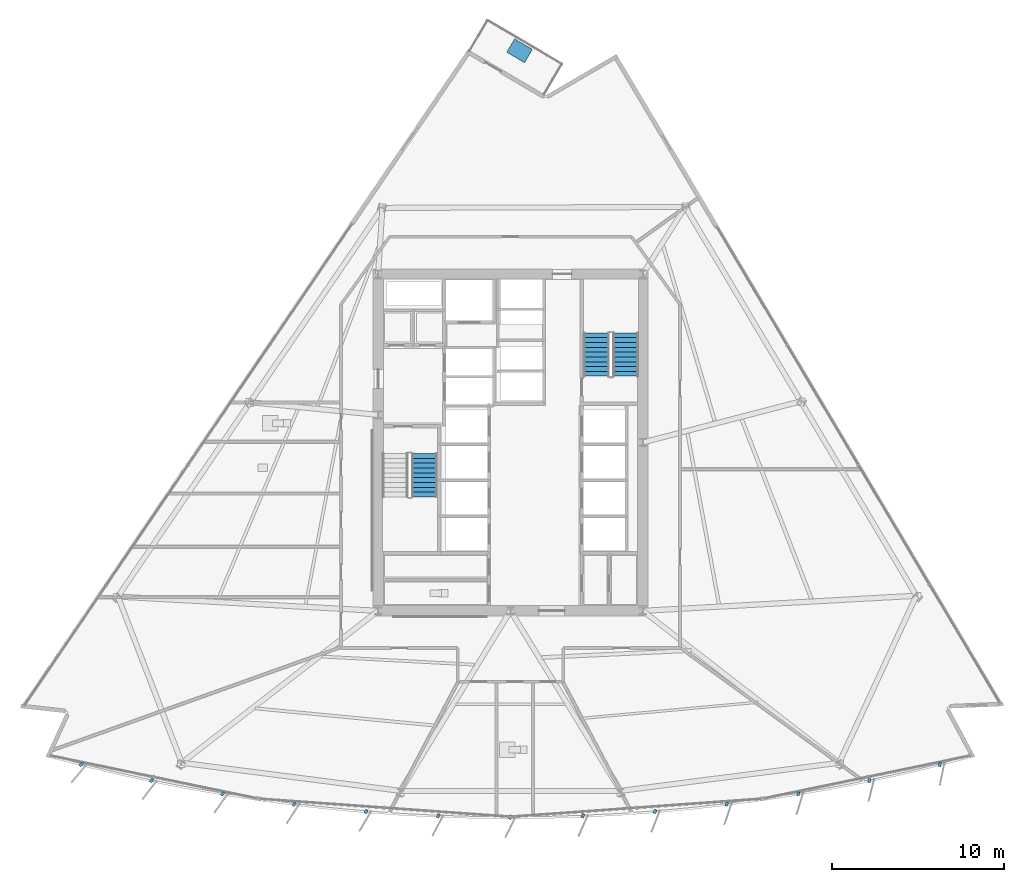
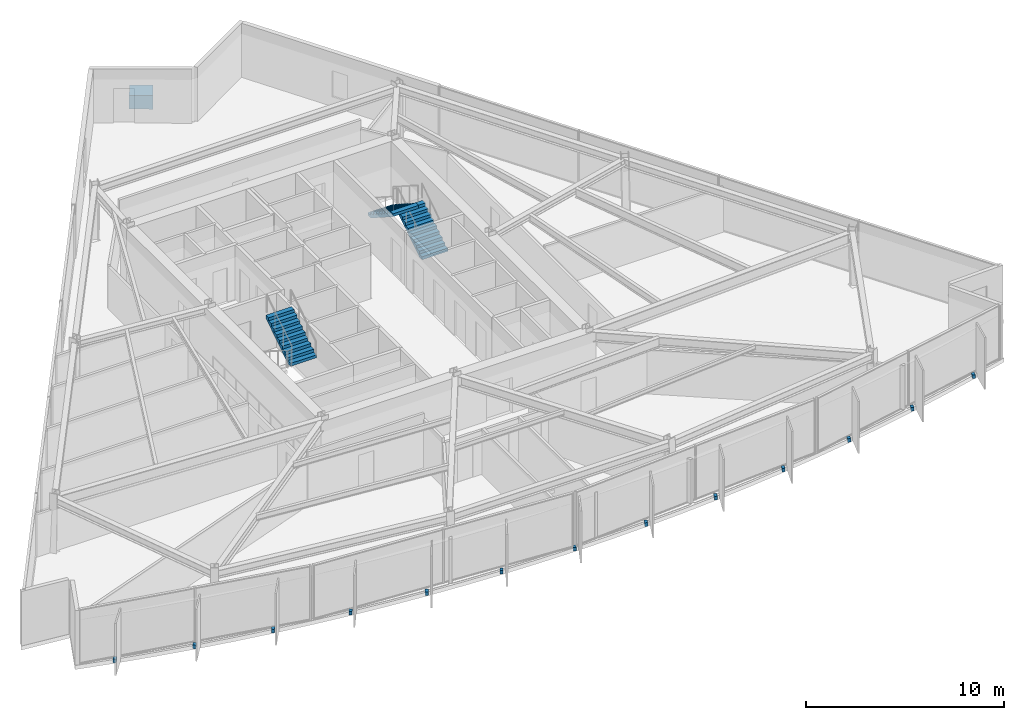
# One storey, part 10 of 15: 14 discrete accessories, 3 stair flights, 2 elements without a shape of their own.
"""IFC4 building model written with IfcOpenShell, lengths in metres."""

from ifc_helpers import new_model, si_unit, direction, frame, origin, origin_2d, place, context, subcontext, project, spatial, polyline, rectangle, outline, extrude, material, type_object, element, aggregate, save


model = new_model("IFC4")

# Units and contexts
model_context = context("Model", 3, precision=1e-05, world=origin(), true_north=direction((0.0, 1.0)))
body_context = subcontext(model_context, "Body", "Model", "MODEL_VIEW")
ifc_project = project(units=[si_unit("LENGTHUNIT", "METRE"), si_unit("AREAUNIT", "SQUARE_METRE"), si_unit("VOLUMEUNIT", "CUBIC_METRE"), si_unit("PLANEANGLEUNIT", "RADIAN"), si_unit("MASSUNIT", "GRAM", prefix="KILO")], contexts=[model_context])

# Site, building, storey
site_placement = place(None, origin())
site = spatial("IfcSite", under=ifc_project, at=site_placement, CompositionType="ELEMENT")
building_placement = place(site_placement, origin())
building = spatial("IfcBuilding", under=site, at=building_placement, Name="Savorim Split Tower", CompositionType="ELEMENT")
storey_placement = place(building_placement, frame((0.0, 0.0, 86.10009765625)))
storey = spatial("IfcBuildingStorey", under=building, at=storey_placement, Name="L22", CompositionType="ELEMENT", Elevation=86.10009765625)

# Stair, stair flight
ifc_material_1 = material(Name="Concrete C50/60", Category="concrete")
stair_type = type_object("IfcStairType", Name="STR-DOG-3600", PredefinedType="HALF_TURN_STAIR", material=ifc_material_1)
stair_1_placement = place(storey_placement, origin())
stair_1 = element("IfcStair", 1, at=stair_1_placement, inside=storey, type_object=stair_type, Name="L22 Core Protected Exit Stair ST-1", PredefinedType="HALF_TURN_STAIR")
stair_flight_type = type_object("IfcStairFlightType", Name="SFL-DOG-3600", PredefinedType="STRAIGHT", material=ifc_material_1)
stair_flight_1_placement = place(storey_placement, frame((-5.0, -2.77001953125, 1.7998046875), z_axis=(0.0, 0.0, 1.0), x_axis=(0.0, 1.0, 0.0)))
stair_flight_1 = element("IfcStairFlight", 2, at=stair_flight_1_placement, type_object=stair_flight_type, Name="ST-1 flight 2", NumberOfRisers=10, NumberOfTreads=9, PredefinedType="STRAIGHT", RiserHeight=0.18, TreadLength=0.28, context=body_context, shape_type="SweptSolid", body=[
    extrude(outline(polyline([(0.0, 0.0), (0.0, 0.179931640625), (0.280029296875, 0.179931640625), (0.280029296875, 0.360107421875), (0.56005859375, 0.360107421875), (0.56005859375, 0.5400390625), (0.840087890625, 0.5400390625), (0.840087890625, 0.719970703125), (1.1201171875, 0.719970703125), (1.1201171875, 0.89990234375), (1.39990234375, 0.89990234375), (1.39990234375, 1.080078125), (1.679931640625, 1.080078125), (1.679931640625, 1.260009765625), (1.9599609375, 1.260009765625), (1.9599609375, 1.43994140625), (2.239990234375, 1.43994140625), (2.239990234375, 1.6201171875), (2.52001953125, 1.6201171875), (2.52001953125, 1.800048828125), (2.52001953125, 1.44189453125), (0.277099609375, 0.0), (0.0, 0.0)])), frame((0.0, 0.75, 0.0), z_axis=(0.0, -1.0, 0.0), x_axis=(1.0, 0.0, 0.0)), (0.0, 0.0, 1.0), 1.5),
])
aggregate(stair_1, [stair_flight_1])

# Stair, stair flights
stair_2_placement = place(storey_placement, origin())
stair_2 = element("IfcStair", 3, at=stair_2_placement, inside=storey, type_object=stair_type, Name="L22 Core Protected Exit Stair ST-2", PredefinedType="HALF_TURN_STAIR")
stair_flight_2_placement = place(storey_placement, frame((6.699951171875, 4.25, 0.0), z_axis=(0.0, 0.0, 1.0), x_axis=(0.0, 1.0, 0.0)))
stair_flight_2 = element("IfcStairFlight", 4, at=stair_flight_2_placement, type_object=stair_flight_type, Name="ST-2 flight 1", NumberOfRisers=10, NumberOfTreads=9, PredefinedType="STRAIGHT", RiserHeight=0.18, TreadLength=0.28, context=body_context, shape_type="SweptSolid", body=[
    extrude(outline(polyline([(0.0, 0.0), (0.0, 0.179931640625), (0.280029296875, 0.179931640625), (0.280029296875, 0.360107421875), (0.56005859375, 0.360107421875), (0.56005859375, 0.5400390625), (0.840087890625, 0.5400390625), (0.840087890625, 0.719970703125), (1.1201171875, 0.719970703125), (1.1201171875, 0.89990234375), (1.39990234375, 0.89990234375), (1.39990234375, 1.080078125), (1.679931640625, 1.080078125), (1.679931640625, 1.260009765625), (1.9599609375, 1.260009765625), (1.9599609375, 1.43994140625), (2.239990234375, 1.43994140625), (2.239990234375, 1.6201171875), (2.52001953125, 1.6201171875), (2.52001953125, 1.800048828125), (2.52001953125, 1.44189453125), (0.277099609375, 0.0), (0.0, 0.0)])), frame((0.0, 0.75, 0.0), z_axis=(0.0, -1.0, 0.0), x_axis=(1.0, 0.0, 0.0)), (0.0, 0.0, 1.0), 1.5),
])
stair_flight_3_placement = place(storey_placement, frame((5.0, 6.77001953125, 1.7998046875), z_axis=(0.0, 0.0, 1.0), x_axis=(0.0, -1.0, 0.0)))
stair_flight_3 = element("IfcStairFlight", 5, at=stair_flight_3_placement, type_object=stair_flight_type, Name="ST-2 flight 2", NumberOfRisers=10, NumberOfTreads=9, PredefinedType="STRAIGHT", RiserHeight=0.18, TreadLength=0.28, context=body_context, shape_type="SweptSolid", body=[
    extrude(outline(polyline([(0.0, 0.0), (0.0, 0.179931640625), (0.280029296875, 0.179931640625), (0.280029296875, 0.360107421875), (0.56005859375, 0.360107421875), (0.56005859375, 0.5400390625), (0.840087890625, 0.5400390625), (0.840087890625, 0.719970703125), (1.1201171875, 0.719970703125), (1.1201171875, 0.89990234375), (1.39990234375, 0.89990234375), (1.39990234375, 1.080078125), (1.679931640625, 1.080078125), (1.679931640625, 1.260009765625), (1.9599609375, 1.260009765625), (1.9599609375, 1.43994140625), (2.239990234375, 1.43994140625), (2.239990234375, 1.6201171875), (2.52001953125, 1.6201171875), (2.52001953125, 1.800048828125), (2.52001953125, 1.44189453125), (0.277099609375, 0.0), (0.0, 0.0)])), frame((0.0, 0.75, 0.0), z_axis=(0.0, -1.0, 0.0), x_axis=(1.0, 0.0, 0.0)), (0.0, 0.0, 1.0), 1.5),
])
aggregate(stair_2, [stair_flight_2, stair_flight_3])

# Discrete accessories
ifc_material_2 = material(Name="Steel S355", Category="steel")
discrete_accessory_type_1 = type_object("IfcDiscreteAccessoryType", Name="ACC-BRK-FIN", PredefinedType="BRACKET", material=ifc_material_2)
for number, where, z_axis, x_axis, name in (
    (6, (-24.9814453125, -18.338134765625, -0.18994140625), (0.0, 0.0, 1.0), (-0.643719022682, -0.765261928909, 0.0), "L22 Fin Slab-Edge Cleat Bracket 01"),
    (7, (-20.882080078125, -19.276611328125, -0.18994140625), (0.0, 0.0, 1.0), (-0.611868076908, -0.790959832394, 0.0), "L22 Fin Slab-Edge Cleat Bracket 02"),
    (8, (-16.747802734375, -20.046875, -0.18994140625), (0.0, 0.0, 1.0), (-0.578993757737, -0.815331974414, 0.0), "L22 Fin Slab-Edge Cleat Bracket 03"),
    (9, (-12.58544921875, -20.647216796875, -0.18994140625), (0.0, 0.0, 1.0), (-0.545148321708, -0.838339613366, 0.0), "L22 Fin Slab-Edge Cleat Bracket 04"),
    (10, (-8.402099609375, -21.07666015625, -0.18994140625), (0.0, 0.0, 1.0), (-0.510391336723, -0.859942255851, 0.0), "L22 Fin Slab-Edge Cleat Bracket 05"),
    (11, (-4.20458984375, -21.334716796875, -0.18994140625), (0.0, 0.0, 1.0), (-0.474778051978, -0.880105562623, 0.0), "L22 Fin Slab-Edge Cleat Bracket 06"),
    (12, (0.0, -21.4208984375, -0.18994140625), (0.0, 0.0, 1.0), (-0.438371146789, -0.898794046299, 0.0), "L22 Fin Slab-Edge Cleat Bracket 07"),
    (13, (4.20458984375, -21.334716796875, -0.18994140625), (0.0, 0.0, 1.0), (-0.401230091723, -0.915977299662, 0.0), "L22 Fin Slab-Edge Cleat Bracket 08"),
    (14, (8.402099609375, -21.07666015625, -0.18994140625), (0.0, 0.0, 1.0), (-0.363415461732, -0.931627179817, 0.0), "L22 Fin Slab-Edge Cleat Bracket 09"),
    (15, (12.58544921875, -20.647216796875, -0.18994140625), (0.0, 0.0, 1.0), (-0.324993810493, -0.945716143005, 0.0), "L22 Fin Slab-Edge Cleat Bracket 10"),
    (16, (16.747802734375, -20.046875, -0.18994140625), (0.0, 0.0, 1.0), (-0.286026212504, -0.958221793616, 0.0), "L22 Fin Slab-Edge Cleat Bracket 11"),
    (17, (20.882080078125, -19.276611328125, -0.18994140625), (0.0, 0.0, 1.0), (-0.246581250663, -0.969122121727, 0.0), "L22 Fin Slab-Edge Cleat Bracket 12"),
    (18, (24.9814453125, -18.338134765625, -0.18994140625), (0.0, 0.0, 1.0), (-0.206721626106, -0.978399800337, 0.0), "L22 Fin Slab-Edge Cleat Bracket 13"),
):
    element("IfcDiscreteAccessory", number, at=place(storey_placement, frame(where, z_axis=z_axis, x_axis=x_axis)), inside=storey, type_object=discrete_accessory_type_1, Name=name, PredefinedType="BRACKET", context=body_context, shape_type="SweptSolid", body=[
        extrude(rectangle(XDim=0.239990234375, YDim=0.159912109375, at=origin_2d()), origin(), (0.0, 0.0, 1.0), 0.219970703125),
    ])
ifc_material_3 = material(Name="Architectural Precast Planter Concrete C40/50", Category="concrete")
discrete_accessory_type_2 = type_object("IfcDiscreteAccessoryType", Name="ACC-PLN-TREE", PredefinedType="USERDEFINED", material=ifc_material_3)
discrete_accessory_placement = place(storey_placement, frame((0.526611328125, 23.18408203125, -0.000244140625), z_axis=(0.0, 0.0, 1.0), x_axis=(-0.862122155817, 0.506700491858, 0.0)))
element("IfcDiscreteAccessory", 19, at=discrete_accessory_placement, inside=storey, type_object=discrete_accessory_type_2, Name="L22 Balcony Precast Tree Planter N", ObjectType="PLANTER", PredefinedType="USERDEFINED", context=body_context, shape_type="SweptSolid", body=[
    extrude(rectangle(XDim=1.199951171875, YDim=0.89990234375, at=origin_2d()), origin(), (0.0, 0.0, 1.0), 0.85009765625),
])

save(model, "model.ifc")
